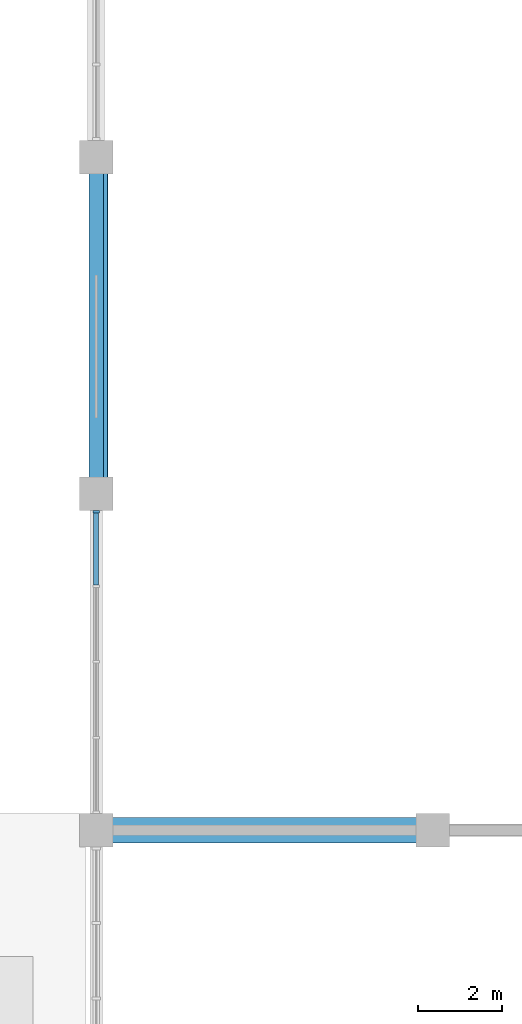
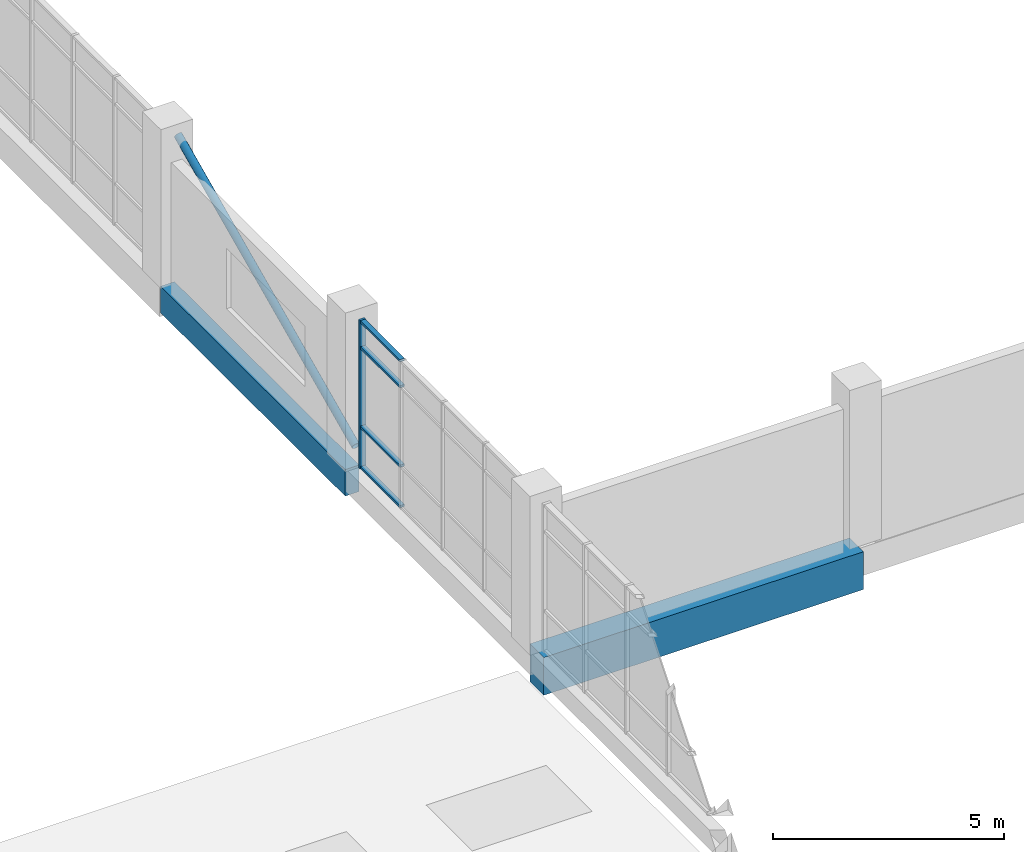
# One storey, part 23 of 84: 6 members, 2 beams, 1 element without a shape of its own.
"""IFC4 building model written with IfcOpenShell, lengths in metres."""

import ifcopenshell
import ifcopenshell.guid

model = None  # the IFC model being written
_history = None  # IfcOwnerHistory: only IFC2X3 demands one
_inside = {}  # id of a spatial element -> (the spatial element, [elements in it])
_under = {}  # id of a project, library or spatial element -> (it, [spatial elements below it])
_declared = {}  # id of a project -> (the project, [libraries it declares])
_typed = {}  # id of a type object -> (the type object, [elements of that type])
_made_of = {}  # id of a material, layer set ... -> (it, [elements and type objects made of it])


def new_model(schema):
    """Start an empty IFC model of exactly this schema.

    Asked for "IFC4X3", IfcOpenShell would pick the latest addendum, in which some entities
    have other attributes; the version numbers below select the first issue.
    IFC2X3 requires an IfcOwnerHistory on every rooted entity: one is made here for all.
    """
    global model, _history
    if schema == "IFC4X3":
        model = ifcopenshell.file(schema_version=(4, 3, 0, 0))
    else:
        model = ifcopenshell.file(schema=schema)
    _inside.clear()
    _under.clear()
    _declared.clear()
    _typed.clear()
    _made_of.clear()
    _history = None
    if model.schema == "IFC2X3":
        org = make("IfcOrganization", Name="unknown")
        user = make(
            "IfcPersonAndOrganization",
            ThePerson=make("IfcPerson", FamilyName="unknown"),
            TheOrganization=org,
        )
        app = make(
            "IfcApplication",
            ApplicationDeveloper=org,
            Version="unknown",
            ApplicationFullName="unknown",
            ApplicationIdentifier="unknown",
        )
        _history = make(
            "IfcOwnerHistory",
            OwningUser=user,
            OwningApplication=app,
            ChangeAction="ADDED",
            CreationDate=0,
        )
    return model


def make(cls, **values):
    """One entity of the class cls with the attributes given. An attribute that is None is left unset."""
    return model.create_entity(
        cls, **{name: value for name, value in values.items() if value is not None}
    )


def rooted(cls, **values):
    """An entity with a GlobalId (a new one), such as an element, a storey or a relation."""
    return make(cls, GlobalId=ifcopenshell.guid.new(), OwnerHistory=_history, **values)


def si_unit(unit_type, name, prefix=None):
    """IfcSIUnit, for example si_unit("LENGTHUNIT", "METRE", prefix="MILLI")."""
    return make("IfcSIUnit", UnitType=unit_type, Prefix=prefix, Name=name)


def assignment(units):
    """IfcUnitAssignment: the units of a project."""
    return None if units is None else make("IfcUnitAssignment", Units=units)


def point(xyz):
    """IfcCartesianPoint."""
    return None if xyz is None else make("IfcCartesianPoint", Coordinates=xyz)


def direction(xyz):
    """IfcDirection."""
    return None if xyz is None else make("IfcDirection", DirectionRatios=xyz)


def frame(location, z_axis=None, x_axis=None):
    """IfcAxis2Placement3D, a coordinate frame: its origin and axes. An axis left out is left unset."""
    return make(
        "IfcAxis2Placement3D",
        Location=point(location),
        Axis=direction(z_axis),
        RefDirection=direction(x_axis),
    )


def frame_2d(location, x_axis=None):
    """IfcAxis2Placement2D, a coordinate frame in the plane: its origin and x axis."""
    return make(
        "IfcAxis2Placement2D", Location=point(location), RefDirection=direction(x_axis)
    )


def origin():
    """The frame at (0, 0, 0) with its axes left unset."""
    return frame((0.0, 0.0, 0.0))


def origin_2d():
    """The frame at (0, 0) in the plane with its x axis left unset."""
    return frame_2d((0.0, 0.0))


def place(relative_to, where):
    """IfcLocalPlacement: puts the frame where relative to a parent placement (None: the world)."""
    return make(
        "IfcLocalPlacement", PlacementRelTo=relative_to, RelativePlacement=where
    )


def context(
    kind, dimensions, precision=None, world=None, true_north=None, identifier=None
):
    """IfcGeometricRepresentationContext, for example the 3D "Model" context."""
    return make(
        "IfcGeometricRepresentationContext",
        ContextIdentifier=identifier,
        ContextType=kind,
        CoordinateSpaceDimension=dimensions,
        Precision=precision,
        WorldCoordinateSystem=world,
        TrueNorth=true_north,
    )


def subcontext(parent, identifier, kind, view, scale=None):
    """IfcGeometricRepresentationSubContext, for example "Body" below "Model"."""
    return make(
        "IfcGeometricRepresentationSubContext",
        ContextIdentifier=identifier,
        ContextType=kind,
        ParentContext=parent,
        TargetScale=scale,
        TargetView=view,
    )


def project(units=None, contexts=None):
    """IfcProject with its units and contexts."""
    return rooted(
        "IfcProject",
        Name="project",
        RepresentationContexts=contexts,
        UnitsInContext=assignment(units),
    )


def spatial(cls, under=None, at=None, **own):
    """A site, building, storey or space (cls), placed at a placement, below another one or the project."""
    s = rooted(cls, ObjectPlacement=at, **own)
    if under is not None:
        _under.setdefault(under.id(), (under, []))[1].append(s)
    return s


def profile(cls, at=None, kind="AREA", **sizes):
    """A parametric profile (cls). Its sizes go by their IFC names, for example OverallWidth=200.0."""
    return make(cls, ProfileType=kind, Position=at, **sizes)


def rectangle(**sizes):
    """IfcRectangleProfileDef."""
    return profile("IfcRectangleProfileDef", **sizes)


def hollow_circle(**sizes):
    """IfcCircleHollowProfileDef."""
    return profile("IfcCircleHollowProfileDef", **sizes)


def extrude(swept, where, along, depth):
    """IfcExtrudedAreaSolid: the profile swept, set in the frame where, extruded along a direction by depth."""
    return make(
        "IfcExtrudedAreaSolid",
        SweptArea=swept,
        Position=where,
        ExtrudedDirection=direction(along),
        Depth=depth,
    )


def shape(context_of_items, identifier, shape_type, items):
    """IfcShapeRepresentation: the items that make up one representation, for example the "Body"."""
    return make(
        "IfcShapeRepresentation",
        ContextOfItems=context_of_items,
        RepresentationIdentifier=identifier,
        RepresentationType=shape_type,
        Items=items,
    )


def material(Name=None, Category=None):
    """IfcMaterial."""
    return make("IfcMaterial", Name=Name, Category=Category)


def material_profile(
    of_material, cross_section, Name=None, Category=None, Priority=None
):
    """IfcMaterialProfile: a cross section and its material."""
    return make(
        "IfcMaterialProfile",
        Name=Name,
        Material=of_material,
        Profile=cross_section,
        Priority=Priority,
        Category=Category,
    )


def profile_set(profiles, Name=None, composite=None):
    """IfcMaterialProfileSet."""
    return make(
        "IfcMaterialProfileSet",
        Name=Name,
        MaterialProfiles=profiles,
        CompositeProfile=composite,
    )


def made_of(thing, what):
    """Note that an element or type object is made of a material, layer set ...; save() writes the relation."""
    if what is not None:
        _made_of.setdefault(what.id(), (what, []))[1].append(thing)
    return thing


def type_object(cls, material=None, **own):
    """A type object (cls), such as IfcWallType, which elements share."""
    return made_of(rooted(cls, **own), material)


def element(
    cls,
    number,
    at=None,
    inside=None,
    cuts=None,
    type_object=None,
    material=None,
    context=None,
    identifier="Body",
    shape_type=None,
    held_by="IfcProductDefinitionShape",
    body=None,
    shapes=None,
    **own,
):
    """One element of the class cls, such as IfcWall. Its Tag is "e" and its number.

    at: its placement. inside: the storey or other place that contains it. cuts: it is an
    opening in that element (IfcRelVoidsElement). A single representation is given by context,
    identifier, shape_type and body (its items); several are given by shapes. held_by: the class
    of the entity that holds the representations. save() writes the other relations.
    """
    e = rooted(cls, Tag="e%d" % number, ObjectPlacement=at, **own)
    if body is not None:
        shapes = [shape(context, identifier, shape_type, body)]
    if shapes is not None:
        e.Representation = make(held_by, Representations=shapes)
    if inside is not None:
        _inside.setdefault(inside.id(), (inside, []))[1].append(e)
    if cuts is not None:
        rooted(
            "IfcRelVoidsElement", RelatingBuildingElement=cuts, RelatedOpeningElement=e
        )
    if type_object is not None:
        _typed.setdefault(type_object.id(), (type_object, []))[1].append(e)
    return made_of(e, material)


def aggregate(whole, parts):
    """IfcRelAggregates: a whole, such as a stair, and the parts it consists of."""
    return rooted("IfcRelAggregates", RelatingObject=whole, RelatedObjects=parts)


def save(model, path):
    """Write the relations noted so far, then the file.

    IfcRelAggregates (storeys below a building ...), IfcRelContainedInSpatialStructure (elements
    in a storey), IfcRelDefinesByType, IfcRelAssociatesMaterial and IfcRelDeclares: one each for
    every whole, place, type object, material and project.
    """
    for whole, parts in _under.values():
        aggregate(whole, parts)
    for where, things in _inside.values():
        rooted(
            "IfcRelContainedInSpatialStructure",
            RelatedElements=things,
            RelatingStructure=where,
        )
    for kind, things in _typed.values():
        rooted("IfcRelDefinesByType", RelatedObjects=things, RelatingType=kind)
    for what, things in _made_of.values():
        rooted("IfcRelAssociatesMaterial", RelatedObjects=things, RelatingMaterial=what)
    for by, libraries in _declared.values():
        rooted("IfcRelDeclares", RelatingContext=by, RelatedDefinitions=libraries)
    model.write(path)


model = new_model("IFC4")

# Units and contexts
model_context = context("Model", 3, precision=1e-05, world=origin(), true_north=direction((0.0, 1.0)))
body_context = subcontext(model_context, "Body", "Model", "MODEL_VIEW")
ifc_project = project(units=[si_unit("LENGTHUNIT", "METRE"), si_unit("AREAUNIT", "SQUARE_METRE"), si_unit("VOLUMEUNIT", "CUBIC_METRE"), si_unit("PLANEANGLEUNIT", "RADIAN"), si_unit("MASSUNIT", "GRAM", prefix="KILO")], contexts=[model_context])

# Site, building, storey
site_placement = place(None, origin())
site = spatial("IfcSite", under=ifc_project, at=site_placement, CompositionType="ELEMENT")
building_placement = place(site_placement, origin())
building = spatial("IfcBuilding", under=site, at=building_placement, Name="Tenunan Teduh Sports Hall", CompositionType="ELEMENT")
storey_placement = place(building_placement, frame((0.0, 0.0, 10.800048828125)))
storey = spatial("IfcBuildingStorey", under=building, at=storey_placement, Name="L02", CompositionType="ELEMENT", Elevation=10.800048828125)

# Beams
ifc_material_1 = material(Name="Concrete C40/50", Category="concrete")
ifc_material_profile_1 = material_profile(ifc_material_1, rectangle(XDim=0.35009765625, YDim=0.699951171875, at=origin_2d()), Name="RCB 350x700")
ifc_profile_set_1 = profile_set([ifc_material_profile_1], Name="Concrete C40/50")
beam_type_1 = type_object("IfcBeamType", Name="BM-RC-350x700", PredefinedType="BEAM", material=ifc_profile_set_1)
beam_1_placement = place(storey_placement, frame((122.0, 54.0, -0.610107421875), z_axis=(0.0, 1.0, 0.0), x_axis=(-1.0, 0.0, 0.0)))
element("IfcBeam", 1, at=beam_1_placement, inside=storey, type_object=beam_type_1, Name="BM-B-06-L02-1638", PredefinedType="BEAM", context=body_context, shape_type="SweptSolid", body=[
    extrude(rectangle(XDim=0.35009765625, YDim=0.699951171875, at=origin_2d()), origin(), (0.0, 0.0, 1.0), 8.0),
])
ifc_material_2 = material(Name="Concrete C40/50", Category="concrete")
ifc_material_profile_2 = material_profile(ifc_material_2, rectangle(XDim=0.60009765625, YDim=1.0, at=origin_2d()), Name="RCB 600x1000")
ifc_profile_set_2 = profile_set([ifc_material_profile_2], Name="Concrete C40/50")
beam_type_2 = type_object("IfcBeamType", Name="BM-RC-600x1000", PredefinedType="BEAM", material=ifc_profile_set_2)
beam_2_placement = place(storey_placement, frame((122.0, 46.0, -0.760009765625), z_axis=(1.0, 0.0, 0.0), x_axis=(0.0, 1.0, 0.0)))
element("IfcBeam", 2, at=beam_2_placement, inside=storey, type_object=beam_type_2, Name="BM-B-18-L02-1470", PredefinedType="BEAM", context=body_context, shape_type="SweptSolid", body=[
    extrude(rectangle(XDim=0.60009765625, YDim=1.0, at=origin_2d()), origin(), (0.0, 0.0, 1.0), 8.0),
])

# Curtain wall, members
ifc_material_3 = material(Name="Anodised aluminium", Category="aluminium")
curtain_wall_type = type_object("IfcCurtainWallType", Name="CW-UNIT-2", PredefinedType="NOTDEFINED", material=ifc_material_3)
curtain_wall_placement = place(storey_placement, origin())
curtain_wall = element("IfcCurtainWall", 3, at=curtain_wall_placement, inside=storey, type_object=curtain_wall_type, Name="CW-CWM-150-L02-131", PredefinedType="NOTDEFINED")
ifc_material_4 = material(Name="Anodised aluminium", Category="aluminium")
ifc_material_profile_3 = material_profile(ifc_material_4, rectangle(XDim=0.06005859375, YDim=0.14990234375, at=origin_2d()), Name="CWM 60x150")
ifc_profile_set_3 = profile_set([ifc_material_profile_3], Name="Anodised aluminium")
member_type_1 = type_object("IfcMemberType", Name="CWM-150", PredefinedType="MULLION", material=ifc_profile_set_3)
member_1_placement = place(storey_placement, frame((122.0, 53.570068359375, 0.0), z_axis=(0.0, 0.0, 1.0), x_axis=(0.0, 1.0, 0.0)))
member_1 = element("IfcMember", 4, at=member_1_placement, type_object=member_type_1, Name="CW-02 mullion 5", PredefinedType="MULLION", context=body_context, shape_type="SweptSolid", body=[
    extrude(rectangle(XDim=0.06005859375, YDim=0.14990234375, at=origin_2d()), origin(), (0.0, 0.0, 1.0), 3.919921875),
])
ifc_material_5 = material(Name="Anodised aluminium", Category="aluminium")
ifc_material_profile_4 = material_profile(ifc_material_5, rectangle(XDim=0.06005859375, YDim=0.1201171875, at=origin_2d()), Name="CWT 60x120")
ifc_profile_set_4 = profile_set([ifc_material_profile_4], Name="Anodised aluminium")
member_type_2 = type_object("IfcMemberType", Name="CWT-125", PredefinedType="USERDEFINED", material=ifc_profile_set_4)
member_2_placement = place(storey_placement, frame((122.0, 51.830078125, 0.030029296875), z_axis=(0.0, 1.0, 0.0), x_axis=(0.0, 0.0, 1.0)))
member_2 = element("IfcMember", 5, at=member_2_placement, type_object=member_type_2, Name="CW-02 transom 4.1", ObjectType="TRANSOM", PredefinedType="USERDEFINED", context=body_context, shape_type="SweptSolid", body=[
    extrude(rectangle(XDim=0.06005859375, YDim=0.1201171875, at=origin_2d()), origin(), (0.0, 0.0, 1.0), 1.7099609375),
])
member_3_placement = place(storey_placement, frame((122.0, 51.830078125, 1.099853515625), z_axis=(0.0, 1.0, 0.0), x_axis=(0.0, 0.0, 1.0)))
member_3 = element("IfcMember", 6, at=member_3_placement, type_object=member_type_2, Name="CW-02 transom 4.2", ObjectType="TRANSOM", PredefinedType="USERDEFINED", context=body_context, shape_type="SweptSolid", body=[
    extrude(rectangle(XDim=0.06005859375, YDim=0.1201171875, at=origin_2d()), origin(), (0.0, 0.0, 1.0), 1.7099609375),
])
member_4_placement = place(storey_placement, frame((122.0, 51.830078125, 3.199951171875), z_axis=(0.0, 1.0, 0.0), x_axis=(0.0, 0.0, 1.0)))
member_4 = element("IfcMember", 7, at=member_4_placement, type_object=member_type_2, Name="CW-02 transom 4.3", ObjectType="TRANSOM", PredefinedType="USERDEFINED", context=body_context, shape_type="SweptSolid", body=[
    extrude(rectangle(XDim=0.06005859375, YDim=0.1201171875, at=origin_2d()), origin(), (0.0, 0.0, 1.0), 1.7099609375),
])
member_5_placement = place(storey_placement, frame((122.0, 51.830078125, 3.889892578125), z_axis=(0.0, 1.0, 0.0), x_axis=(0.0, 0.0, 1.0)))
member_5 = element("IfcMember", 8, at=member_5_placement, type_object=member_type_2, Name="CW-02 transom 4.4", ObjectType="TRANSOM", PredefinedType="USERDEFINED", context=body_context, shape_type="SweptSolid", body=[
    extrude(rectangle(XDim=0.06005859375, YDim=0.1201171875, at=origin_2d()), origin(), (0.0, 0.0, 1.0), 1.7099609375),
])
aggregate(curtain_wall, [member_1, member_2, member_3, member_4, member_5])

# Member
ifc_material_6 = material(Name="Steel S355", Category="steel")
ifc_material_profile_5 = material_profile(ifc_material_6, hollow_circle(Radius=0.096923828125, WallThickness=0.008056640625, at=origin_2d()), Name="CHS 193.7x8.0")
ifc_profile_set_5 = profile_set([ifc_material_profile_5], Name="Steel S355")
member_type_3 = type_object("IfcMemberType", Name="MEM-BR-CHS194", PredefinedType="BRACE", material=ifc_profile_set_5)
member_6_placement = place(storey_placement, frame((122.179931640625, 54.14990234375, 0.14990234375), z_axis=(0.0, 0.908133749762, 0.418680179305), x_axis=(-1.0, 0.0, 0.0)))
element("IfcMember", 9, at=member_6_placement, inside=storey, type_object=member_type_3, Name="MEM-GD-03-L02-1462", PredefinedType="BRACE", context=body_context, shape_type="SweptSolid", body=[
    extrude(hollow_circle(Radius=0.096923828125, WallThickness=0.008056640625, at=origin_2d()), origin(), (0.0, 0.0, 1.0), 8.479248046875),
])

save(model, "model.ifc")
